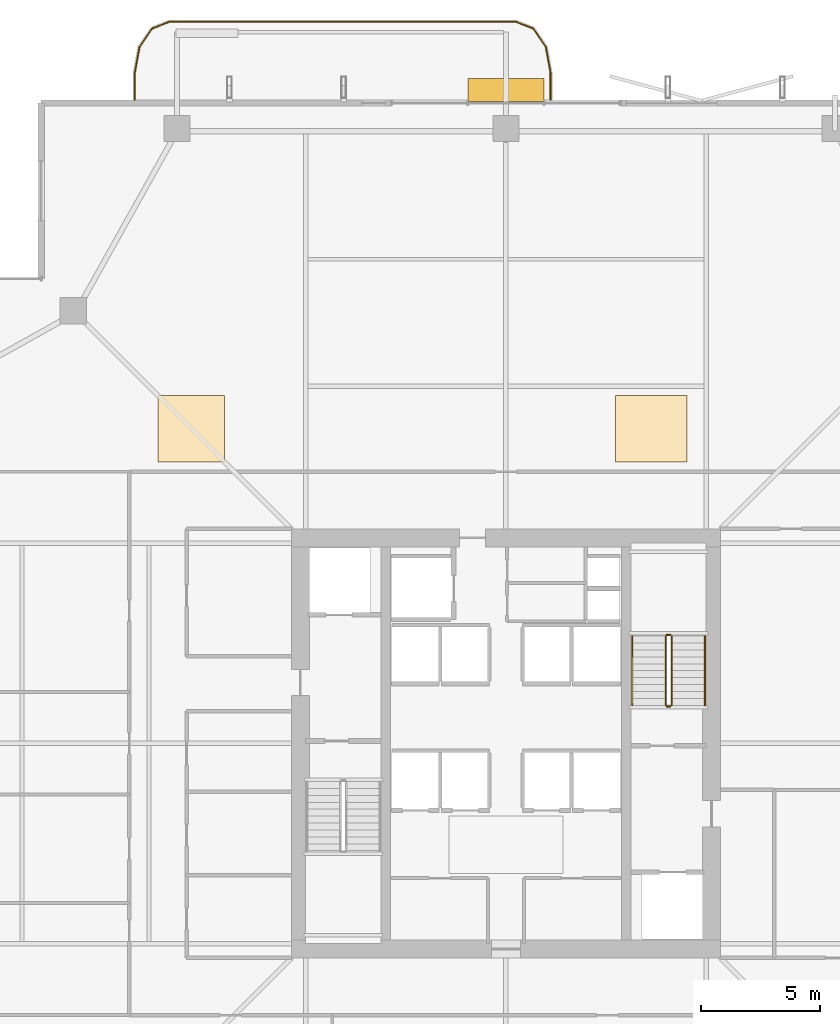
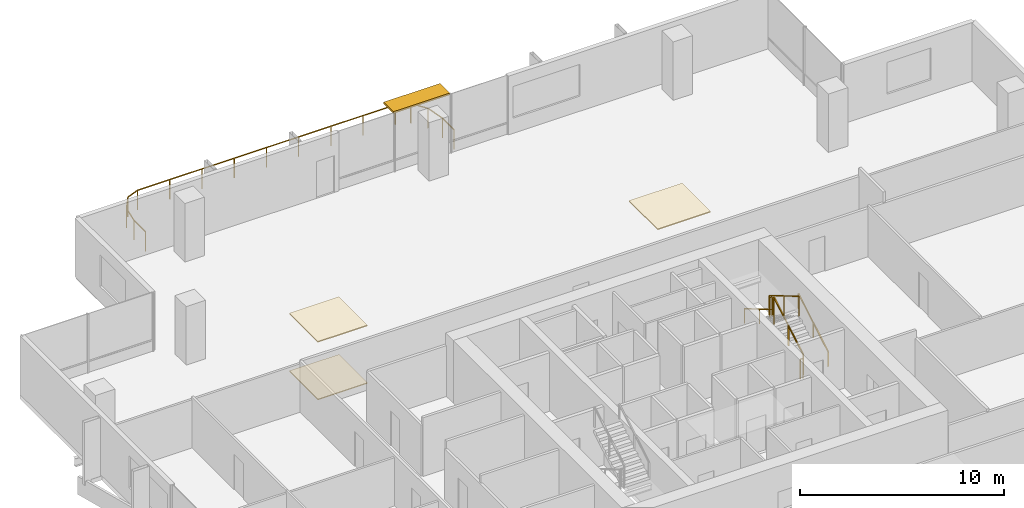
# One storey, part 28 of 29: 7 railings, 3 coverings, 1 shading device.
"""IFC4 building model written with IfcOpenShell, lengths in metres."""

import ifcopenshell
import ifcopenshell.guid

model = None  # the IFC model being written
_history = None  # IfcOwnerHistory: only IFC2X3 demands one
_inside = {}  # id of a spatial element -> (the spatial element, [elements in it])
_under = {}  # id of a project, library or spatial element -> (it, [spatial elements below it])
_declared = {}  # id of a project -> (the project, [libraries it declares])
_typed = {}  # id of a type object -> (the type object, [elements of that type])
_made_of = {}  # id of a material, layer set ... -> (it, [elements and type objects made of it])


def new_model(schema):
    """Start an empty IFC model of exactly this schema.

    Asked for "IFC4X3", IfcOpenShell would pick the latest addendum, in which some entities
    have other attributes; the version numbers below select the first issue.
    IFC2X3 requires an IfcOwnerHistory on every rooted entity: one is made here for all.
    """
    global model, _history
    if schema == "IFC4X3":
        model = ifcopenshell.file(schema_version=(4, 3, 0, 0))
    else:
        model = ifcopenshell.file(schema=schema)
    _inside.clear()
    _under.clear()
    _declared.clear()
    _typed.clear()
    _made_of.clear()
    _history = None
    if model.schema == "IFC2X3":
        org = make("IfcOrganization", Name="unknown")
        user = make(
            "IfcPersonAndOrganization",
            ThePerson=make("IfcPerson", FamilyName="unknown"),
            TheOrganization=org,
        )
        app = make(
            "IfcApplication",
            ApplicationDeveloper=org,
            Version="unknown",
            ApplicationFullName="unknown",
            ApplicationIdentifier="unknown",
        )
        _history = make(
            "IfcOwnerHistory",
            OwningUser=user,
            OwningApplication=app,
            ChangeAction="ADDED",
            CreationDate=0,
        )
    return model


def make(cls, **values):
    """One entity of the class cls with the attributes given. An attribute that is None is left unset."""
    return model.create_entity(
        cls, **{name: value for name, value in values.items() if value is not None}
    )


def rooted(cls, **values):
    """An entity with a GlobalId (a new one), such as an element, a storey or a relation."""
    return make(cls, GlobalId=ifcopenshell.guid.new(), OwnerHistory=_history, **values)


def si_unit(unit_type, name, prefix=None):
    """IfcSIUnit, for example si_unit("LENGTHUNIT", "METRE", prefix="MILLI")."""
    return make("IfcSIUnit", UnitType=unit_type, Prefix=prefix, Name=name)


def assignment(units):
    """IfcUnitAssignment: the units of a project."""
    return None if units is None else make("IfcUnitAssignment", Units=units)


def point(xyz):
    """IfcCartesianPoint."""
    return None if xyz is None else make("IfcCartesianPoint", Coordinates=xyz)


def direction(xyz):
    """IfcDirection."""
    return None if xyz is None else make("IfcDirection", DirectionRatios=xyz)


def frame(location, z_axis=None, x_axis=None):
    """IfcAxis2Placement3D, a coordinate frame: its origin and axes. An axis left out is left unset."""
    return make(
        "IfcAxis2Placement3D",
        Location=point(location),
        Axis=direction(z_axis),
        RefDirection=direction(x_axis),
    )


def frame_2d(location, x_axis=None):
    """IfcAxis2Placement2D, a coordinate frame in the plane: its origin and x axis."""
    return make(
        "IfcAxis2Placement2D", Location=point(location), RefDirection=direction(x_axis)
    )


def origin():
    """The frame at (0, 0, 0) with its axes left unset."""
    return frame((0.0, 0.0, 0.0))


def origin_2d():
    """The frame at (0, 0) in the plane with its x axis left unset."""
    return frame_2d((0.0, 0.0))


def place(relative_to, where):
    """IfcLocalPlacement: puts the frame where relative to a parent placement (None: the world)."""
    return make(
        "IfcLocalPlacement", PlacementRelTo=relative_to, RelativePlacement=where
    )


def context(
    kind, dimensions, precision=None, world=None, true_north=None, identifier=None
):
    """IfcGeometricRepresentationContext, for example the 3D "Model" context."""
    return make(
        "IfcGeometricRepresentationContext",
        ContextIdentifier=identifier,
        ContextType=kind,
        CoordinateSpaceDimension=dimensions,
        Precision=precision,
        WorldCoordinateSystem=world,
        TrueNorth=true_north,
    )


def subcontext(parent, identifier, kind, view, scale=None):
    """IfcGeometricRepresentationSubContext, for example "Body" below "Model"."""
    return make(
        "IfcGeometricRepresentationSubContext",
        ContextIdentifier=identifier,
        ContextType=kind,
        ParentContext=parent,
        TargetScale=scale,
        TargetView=view,
    )


def project(units=None, contexts=None):
    """IfcProject with its units and contexts."""
    return rooted(
        "IfcProject",
        Name="project",
        RepresentationContexts=contexts,
        UnitsInContext=assignment(units),
    )


def spatial(cls, under=None, at=None, **own):
    """A site, building, storey or space (cls), placed at a placement, below another one or the project."""
    s = rooted(cls, ObjectPlacement=at, **own)
    if under is not None:
        _under.setdefault(under.id(), (under, []))[1].append(s)
    return s


def polyline(points):
    """IfcPolyline through the points."""
    return make("IfcPolyline", Points=[point(p) for p in points])


def profile(cls, at=None, kind="AREA", **sizes):
    """A parametric profile (cls). Its sizes go by their IFC names, for example OverallWidth=200.0."""
    return make(cls, ProfileType=kind, Position=at, **sizes)


def rectangle(**sizes):
    """IfcRectangleProfileDef."""
    return profile("IfcRectangleProfileDef", **sizes)


def outline(outer, holes=None, kind="AREA"):
    """IfcArbitraryClosedProfileDef: a profile drawn as a closed curve; with holes, ...WithVoids."""
    if holes is None:
        return make("IfcArbitraryClosedProfileDef", ProfileType=kind, OuterCurve=outer)
    return make(
        "IfcArbitraryProfileDefWithVoids",
        ProfileType=kind,
        OuterCurve=outer,
        InnerCurves=holes,
    )


def extrude(swept, where, along, depth):
    """IfcExtrudedAreaSolid: the profile swept, set in the frame where, extruded along a direction by depth."""
    return make(
        "IfcExtrudedAreaSolid",
        SweptArea=swept,
        Position=where,
        ExtrudedDirection=direction(along),
        Depth=depth,
    )


def shape(context_of_items, identifier, shape_type, items):
    """IfcShapeRepresentation: the items that make up one representation, for example the "Body"."""
    return make(
        "IfcShapeRepresentation",
        ContextOfItems=context_of_items,
        RepresentationIdentifier=identifier,
        RepresentationType=shape_type,
        Items=items,
    )


def material(Name=None, Category=None):
    """IfcMaterial."""
    return make("IfcMaterial", Name=Name, Category=Category)


def layer(
    of_material, thickness, ventilated=None, Name=None, Category=None, Priority=None
):
    """IfcMaterialLayer: one layer of a wall or slab, of a material (None: an air gap)."""
    return make(
        "IfcMaterialLayer",
        Material=of_material,
        LayerThickness=thickness,
        IsVentilated=ventilated,
        Name=Name,
        Category=Category,
        Priority=Priority,
    )


def layer_set(layers, Name=None):
    """IfcMaterialLayerSet."""
    return make("IfcMaterialLayerSet", MaterialLayers=layers, LayerSetName=Name)


def made_of(thing, what):
    """Note that an element or type object is made of a material, layer set ...; save() writes the relation."""
    if what is not None:
        _made_of.setdefault(what.id(), (what, []))[1].append(thing)
    return thing


def type_object(cls, material=None, **own):
    """A type object (cls), such as IfcWallType, which elements share."""
    return made_of(rooted(cls, **own), material)


def element(
    cls,
    number,
    at=None,
    inside=None,
    cuts=None,
    type_object=None,
    material=None,
    context=None,
    identifier="Body",
    shape_type=None,
    held_by="IfcProductDefinitionShape",
    body=None,
    shapes=None,
    **own,
):
    """One element of the class cls, such as IfcWall. Its Tag is "e" and its number.

    at: its placement. inside: the storey or other place that contains it. cuts: it is an
    opening in that element (IfcRelVoidsElement). A single representation is given by context,
    identifier, shape_type and body (its items); several are given by shapes. held_by: the class
    of the entity that holds the representations. save() writes the other relations.
    """
    e = rooted(cls, Tag="e%d" % number, ObjectPlacement=at, **own)
    if body is not None:
        shapes = [shape(context, identifier, shape_type, body)]
    if shapes is not None:
        e.Representation = make(held_by, Representations=shapes)
    if inside is not None:
        _inside.setdefault(inside.id(), (inside, []))[1].append(e)
    if cuts is not None:
        rooted(
            "IfcRelVoidsElement", RelatingBuildingElement=cuts, RelatedOpeningElement=e
        )
    if type_object is not None:
        _typed.setdefault(type_object.id(), (type_object, []))[1].append(e)
    return made_of(e, material)


def aggregate(whole, parts):
    """IfcRelAggregates: a whole, such as a stair, and the parts it consists of."""
    return rooted("IfcRelAggregates", RelatingObject=whole, RelatedObjects=parts)


def save(model, path):
    """Write the relations noted so far, then the file.

    IfcRelAggregates (storeys below a building ...), IfcRelContainedInSpatialStructure (elements
    in a storey), IfcRelDefinesByType, IfcRelAssociatesMaterial and IfcRelDeclares: one each for
    every whole, place, type object, material and project.
    """
    for whole, parts in _under.values():
        aggregate(whole, parts)
    for where, things in _inside.values():
        rooted(
            "IfcRelContainedInSpatialStructure",
            RelatedElements=things,
            RelatingStructure=where,
        )
    for kind, things in _typed.values():
        rooted("IfcRelDefinesByType", RelatedObjects=things, RelatingType=kind)
    for what, things in _made_of.values():
        rooted("IfcRelAssociatesMaterial", RelatedObjects=things, RelatingMaterial=what)
    for by, libraries in _declared.values():
        rooted("IfcRelDeclares", RelatingContext=by, RelatedDefinitions=libraries)
    model.write(path)


model = new_model("IFC4")

# Units and contexts
model_context = context("Model", 3, precision=1e-05, world=origin(), true_north=direction((0.0, 1.0)))
body_context = subcontext(model_context, "Body", "Model", "MODEL_VIEW")
ifc_project = project(units=[si_unit("LENGTHUNIT", "METRE"), si_unit("AREAUNIT", "SQUARE_METRE"), si_unit("VOLUMEUNIT", "CUBIC_METRE"), si_unit("PLANEANGLEUNIT", "RADIAN"), si_unit("MASSUNIT", "GRAM", prefix="KILO")], contexts=[model_context])

# Site, building, storey
site_placement = place(None, origin())
site = spatial("IfcSite", under=ifc_project, at=site_placement, CompositionType="ELEMENT")
building_placement = place(site_placement, origin())
building = spatial("IfcBuilding", under=site, at=building_placement, Name="Belovzor Exchange Tower", CompositionType="ELEMENT")
storey_placement = place(building_placement, frame((0.0, 0.0, 199.949951171875)))
storey = spatial("IfcBuildingStorey", under=building, at=storey_placement, Name="L49", CompositionType="ELEMENT", Elevation=199.949951171875)

# Railings
ifc_material_1 = material(Name="Stainless Steel Grade 304", Category="steel")
railing_type_1 = type_object("IfcRailingType", Name="Brushed Stainless Steel Stair Handrail 900", PredefinedType="HANDRAIL", material=ifc_material_1)
railing_1_placement = place(storey_placement, frame((37.14990234375, 30.39990234375, 0.17041015625)))
element("IfcRailing", 1, at=railing_1_placement, inside=storey, type_object=railing_type_1, Name="L49 ST-2 stair handrail 1", PredefinedType="HANDRAIL", context=body_context, shape_type="SweptSolid", body=[
    extrude(rectangle(XDim=0.048095703125, YDim=0.048095703125, at=origin_2d()), frame((0.0, 0.0, 0.8759765625), z_axis=(0.0, 0.862113265706, 0.506715617574), x_axis=(-1.0, 0.0, 0.0)), (0.0, 0.0, 1.0), 3.364013671875),
    extrude(rectangle(XDim=0.0419921875, YDim=0.0419921875, at=origin_2d()), origin(), (0.0, 0.0, 1.0), 0.851806640625),
    extrude(rectangle(XDim=0.0419921875, YDim=0.0419921875, at=origin_2d()), frame((0.0, 1.4501953125, 0.852294921875)), (0.0, 0.0, 1.0), 0.851806640625),
    extrude(rectangle(XDim=0.0419921875, YDim=0.0419921875, at=origin_2d()), frame((0.0, 2.900146484375, 1.70458984375)), (0.0, 0.0, 1.0), 0.851806640625),
])
railing_2_placement = place(storey_placement, frame((34.10009765625, 33.300048828125, 2.04541015625)))
element("IfcRailing", 2, at=railing_2_placement, inside=storey, type_object=railing_type_1, Name="L49 ST-2 stair handrail 2", PredefinedType="HANDRAIL", context=body_context, shape_type="SweptSolid", body=[
    extrude(rectangle(XDim=0.048095703125, YDim=0.048095703125, at=origin_2d()), frame((0.0, 0.0, 0.8759765625), z_axis=(0.0, -0.862113265706, 0.506715617574), x_axis=(1.0, 0.0, 0.0)), (0.0, 0.0, 1.0), 3.364013671875),
    extrude(rectangle(XDim=0.0419921875, YDim=0.0419921875, at=origin_2d()), origin(), (0.0, 0.0, 1.0), 0.851806640625),
    extrude(rectangle(XDim=0.0419921875, YDim=0.0419921875, at=origin_2d()), frame((0.0, -1.4501953125, 0.852294921875)), (0.0, 0.0, 1.0), 0.851806640625),
    extrude(rectangle(XDim=0.0419921875, YDim=0.0419921875, at=origin_2d()), frame((0.0, -2.900146484375, 1.70458984375)), (0.0, 0.0, 1.0), 0.851806640625),
])
ifc_material_2 = material(Name="Stainless Steel and Laminated Safety Glass", Category="steel")
railing_type_2 = type_object("IfcRailingType", Name="Laminated Glass & Stainless Steel Balcony Balustrade 1200", PredefinedType="BALUSTRADE", material=ifc_material_2)
railing_3_placement = place(storey_placement, frame((30.669921875, 55.81005859375, 0.0)))
element("IfcRailing", 3, at=railing_3_placement, inside=storey, type_object=railing_type_2, Name="GR-1 Balcony Balustrade L49 North", PredefinedType="BALUSTRADE", context=body_context, shape_type="SweptSolid", body=[
    extrude(rectangle(XDim=0.048095703125, YDim=0.048095703125, at=origin_2d()), frame((0.0, 0.0, 1.17578125), z_axis=(0.0, 1.0, 0.0), x_axis=(-1.0, 0.0, 0.0)), (0.0, 0.0, 1.0), 1.133056640625),
    extrude(rectangle(XDim=0.048095703125, YDim=0.048095703125, at=origin_2d()), frame((0.0, 1.133056640625, 1.17578125), z_axis=(-0.180122719713, 0.983644145941, 0.0), x_axis=(-0.983644145941, -0.180122719713, 0.0)), (0.0, 0.0, 1.0), 1.09375),
    extrude(rectangle(XDim=0.048095703125, YDim=0.048095703125, at=origin_2d()), frame((-0.197021484375, 2.208984375, 1.17578125), z_axis=(-0.562768145367, 0.826614792125, 0.0), x_axis=(-0.826614792125, -0.562768145367, 0.0)), (0.0, 0.0, 1.0), 0.9326171875),
    extrude(rectangle(XDim=0.048095703125, YDim=0.048095703125, at=origin_2d()), frame((-0.721923828125, 2.97998046875, 1.17578125), z_axis=(-0.930766990125, 0.365612923861, 0.0), x_axis=(-0.365612923861, -0.930766990125, 0.0)), (0.0, 0.0, 1.0), 0.765869140625),
    extrude(rectangle(XDim=0.048095703125, YDim=0.048095703125, at=origin_2d()), frame((-1.434814453125, 3.260009765625, 1.17578125), z_axis=(-1.0, 0.0, 0.0), x_axis=(0.0, -1.0, 0.0)), (0.0, 0.0, 1.0), 14.570068359375),
    extrude(rectangle(XDim=0.048095703125, YDim=0.048095703125, at=origin_2d()), frame((-16.0048828125, 3.260009765625, 1.17578125), z_axis=(-0.930809580156, -0.365504480807, 0.0), x_axis=(0.365504480807, -0.930809580156, 0.0)), (0.0, 0.0, 1.0), 0.76611328125),
    extrude(rectangle(XDim=0.048095703125, YDim=0.048095703125, at=origin_2d()), frame((-16.718017578125, 2.97998046875, 1.17578125), z_axis=(-0.562768145367, -0.826614792125, 0.0), x_axis=(0.826614792125, -0.562768145367, 0.0)), (0.0, 0.0, 1.0), 0.9326171875),
    extrude(rectangle(XDim=0.048095703125, YDim=0.048095703125, at=origin_2d()), frame((-17.242919921875, 2.208984375, 1.17578125), z_axis=(-0.180122719713, -0.983644145941, 0.0), x_axis=(0.983644145941, -0.180122719713, 0.0)), (0.0, 0.0, 1.0), 1.09375),
    extrude(rectangle(XDim=0.048095703125, YDim=0.048095703125, at=origin_2d()), frame((-17.43994140625, 1.133056640625, 1.17578125), z_axis=(0.0, -1.0, 0.0), x_axis=(1.0, 0.0, 0.0)), (0.0, 0.0, 1.0), 1.133056640625),
    extrude(rectangle(XDim=0.0419921875, YDim=0.0419921875, at=origin_2d()), origin(), (0.0, 0.0, 1.0), 1.15185546875),
    extrude(rectangle(XDim=0.0419921875, YDim=0.0419921875, at=origin_2d()), frame((0.0, 1.133056640625, 0.0)), (0.0, 0.0, 1.0), 1.15185546875),
    extrude(rectangle(XDim=0.0419921875, YDim=0.0419921875, at=origin_2d()), frame((-0.197021484375, 2.208984375, 0.0)), (0.0, 0.0, 1.0), 1.15185546875),
    extrude(rectangle(XDim=0.0419921875, YDim=0.0419921875, at=origin_2d()), frame((-0.721923828125, 2.97998046875, 0.0)), (0.0, 0.0, 1.0), 1.15185546875),
    extrude(rectangle(XDim=0.0419921875, YDim=0.0419921875, at=origin_2d()), frame((-1.434814453125, 3.260009765625, 0.0)), (0.0, 0.0, 1.0), 1.15185546875),
    extrude(rectangle(XDim=0.0419921875, YDim=0.0419921875, at=origin_2d()), frame((-3.256103515625, 3.260009765625, 0.0)), (0.0, 0.0, 1.0), 1.15185546875),
    extrude(rectangle(XDim=0.0419921875, YDim=0.0419921875, at=origin_2d()), frame((-5.077392578125, 3.260009765625, 0.0)), (0.0, 0.0, 1.0), 1.15185546875),
    extrude(rectangle(XDim=0.0419921875, YDim=0.0419921875, at=origin_2d()), frame((-6.898681640625, 3.260009765625, 0.0)), (0.0, 0.0, 1.0), 1.15185546875),
    extrude(rectangle(XDim=0.0419921875, YDim=0.0419921875, at=origin_2d()), frame((-8.7197265625, 3.260009765625, 0.0)), (0.0, 0.0, 1.0), 1.15185546875),
    extrude(rectangle(XDim=0.0419921875, YDim=0.0419921875, at=origin_2d()), frame((-10.541015625, 3.260009765625, 0.0)), (0.0, 0.0, 1.0), 1.15185546875),
    extrude(rectangle(XDim=0.0419921875, YDim=0.0419921875, at=origin_2d()), frame((-12.3623046875, 3.260009765625, 0.0)), (0.0, 0.0, 1.0), 1.15185546875),
    extrude(rectangle(XDim=0.0419921875, YDim=0.0419921875, at=origin_2d()), frame((-14.18359375, 3.260009765625, 0.0)), (0.0, 0.0, 1.0), 1.15185546875),
    extrude(rectangle(XDim=0.0419921875, YDim=0.0419921875, at=origin_2d()), frame((-16.0048828125, 3.260009765625, 0.0)), (0.0, 0.0, 1.0), 1.15185546875),
    extrude(rectangle(XDim=0.0419921875, YDim=0.0419921875, at=origin_2d()), frame((-16.718017578125, 2.97998046875, 0.0)), (0.0, 0.0, 1.0), 1.15185546875),
    extrude(rectangle(XDim=0.0419921875, YDim=0.0419921875, at=origin_2d()), frame((-17.242919921875, 2.208984375, 0.0)), (0.0, 0.0, 1.0), 1.15185546875),
    extrude(rectangle(XDim=0.0419921875, YDim=0.0419921875, at=origin_2d()), frame((-17.43994140625, 1.133056640625, 0.0)), (0.0, 0.0, 1.0), 1.15185546875),
    extrude(rectangle(XDim=0.0419921875, YDim=0.0419921875, at=origin_2d()), frame((-17.43994140625, 0.0, 0.0)), (0.0, 0.0, 1.0), 1.15185546875),
])
ifc_material_3 = material(Name="Steel S355", Category="steel")
railing_type_3 = type_object("IfcRailingType", Name="Painted Steel Stairwell Guardrail 1200", PredefinedType="GUARDRAIL", material=ifc_material_3)
railing_4_placement = place(storey_placement, frame((35.75, 30.39990234375, 0.17041015625)))
element("IfcRailing", 4, at=railing_4_placement, inside=storey, type_object=railing_type_3, Name="L49 ST-2 stair guard 1", PredefinedType="GUARDRAIL", context=body_context, shape_type="SweptSolid", body=[
    extrude(rectangle(XDim=0.048095703125, YDim=0.048095703125, at=origin_2d()), frame((0.0, 0.0, 1.17578125), z_axis=(0.0, 0.862113265706, 0.506715617574), x_axis=(-1.0, 0.0, 0.0)), (0.0, 0.0, 1.0), 3.364013671875),
    extrude(rectangle(XDim=0.0419921875, YDim=0.0419921875, at=origin_2d()), origin(), (0.0, 0.0, 1.0), 1.15185546875),
    extrude(rectangle(XDim=0.0419921875, YDim=0.0419921875, at=origin_2d()), frame((0.0, 1.4501953125, 0.852294921875)), (0.0, 0.0, 1.0), 1.15185546875),
    extrude(rectangle(XDim=0.0419921875, YDim=0.0419921875, at=origin_2d()), frame((0.0, 2.900146484375, 1.70458984375)), (0.0, 0.0, 1.0), 1.15185546875),
])
railing_5_placement = place(storey_placement, frame((35.699951171875, 33.35009765625, 1.875)))
element("IfcRailing", 5, at=railing_5_placement, inside=storey, type_object=railing_type_3, Name="L49 ST-2 stair guard 2", PredefinedType="GUARDRAIL", context=body_context, shape_type="SweptSolid", body=[
    extrude(rectangle(XDim=0.048095703125, YDim=0.048095703125, at=origin_2d()), frame((0.0, 0.0, 1.17578125), z_axis=(-1.0, 0.0, 0.0), x_axis=(0.0, -1.0, 0.0)), (0.0, 0.0, 1.0), 0.14990234375),
    extrude(rectangle(XDim=0.0419921875, YDim=0.0419921875, at=origin_2d()), origin(), (0.0, 0.0, 1.0), 1.15185546875),
    extrude(rectangle(XDim=0.0419921875, YDim=0.0419921875, at=origin_2d()), frame((-0.14990234375, 0.0, 0.0)), (0.0, 0.0, 1.0), 1.15185546875),
])
railing_6_placement = place(storey_placement, frame((35.5, 33.300048828125, 2.04541015625)))
element("IfcRailing", 6, at=railing_6_placement, inside=storey, type_object=railing_type_3, Name="L49 ST-2 stair guard 3", PredefinedType="GUARDRAIL", context=body_context, shape_type="SweptSolid", body=[
    extrude(rectangle(XDim=0.048095703125, YDim=0.048095703125, at=origin_2d()), frame((0.0, 0.0, 1.17578125), z_axis=(0.0, -0.862113265706, 0.506715617574), x_axis=(1.0, 0.0, 0.0)), (0.0, 0.0, 1.0), 3.364013671875),
    extrude(rectangle(XDim=0.0419921875, YDim=0.0419921875, at=origin_2d()), origin(), (0.0, 0.0, 1.0), 1.15185546875),
    extrude(rectangle(XDim=0.0419921875, YDim=0.0419921875, at=origin_2d()), frame((0.0, -1.4501953125, 0.852294921875)), (0.0, 0.0, 1.0), 1.15185546875),
    extrude(rectangle(XDim=0.0419921875, YDim=0.0419921875, at=origin_2d()), frame((0.0, -2.900146484375, 1.70458984375)), (0.0, 0.0, 1.0), 1.15185546875),
])
railing_7_placement = place(storey_placement, frame((35.699951171875, 30.35009765625, 0.0)))
element("IfcRailing", 7, at=railing_7_placement, inside=storey, type_object=railing_type_3, Name="L49 ST-2 stair guard 4", PredefinedType="GUARDRAIL", context=body_context, shape_type="SweptSolid", body=[
    extrude(rectangle(XDim=0.048095703125, YDim=0.048095703125, at=origin_2d()), frame((0.0, 0.0, 1.17578125), z_axis=(-1.0, 0.0, 0.0), x_axis=(0.0, -1.0, 0.0)), (0.0, 0.0, 1.0), 0.14990234375),
    extrude(rectangle(XDim=0.0419921875, YDim=0.0419921875, at=origin_2d()), origin(), (0.0, 0.0, 1.0), 1.15185546875),
    extrude(rectangle(XDim=0.0419921875, YDim=0.0419921875, at=origin_2d()), frame((-0.14990234375, 0.0, 0.0)), (0.0, 0.0, 1.0), 1.15185546875),
])

# Coverings
ifc_material_4 = material(Name="Perforated Powder-Coated Aluminium", Category="aluminium")
ifc_layer_1 = layer(ifc_material_4, 0.06005859375)
ifc_layer_set_1 = layer_set([ifc_layer_1], Name="Perforated Powder-Coated Aluminium")
covering_type_1 = type_object("IfcCoveringType", Name="Perforated Acoustic Metal Tile Suspended Ceiling 60", PredefinedType="CEILING", material=ifc_layer_set_1)
covering_1_placement = place(storey_placement, frame((0.0, 0.0, 3.43994140625)))
element("IfcCovering", 8, at=covering_1_placement, inside=storey, type_object=covering_type_1, Name="CLG-AC60 Suspended Ceiling CLG-L49-Z2", PredefinedType="CEILING", context=body_context, shape_type="SweptSolid", body=[
    extrude(outline(polyline([(33.39990234375, 40.60009765625), (36.39990234375, 40.60009765625), (36.39990234375, 43.39990234375), (33.39990234375, 43.39990234375), (33.39990234375, 40.60009765625)])), origin(), (0.0, 0.0, 1.0), 0.06005859375),
])
covering_2_placement = place(storey_placement, frame((0.0, 0.0, 3.43994140625)))
element("IfcCovering", 9, at=covering_2_placement, inside=storey, type_object=covering_type_1, Name="CLG-AC60 Suspended Ceiling CLG-L49-Z3", PredefinedType="CEILING", context=body_context, shape_type="SweptSolid", body=[
    extrude(outline(polyline([(14.199951171875, 40.60009765625), (17.0, 40.60009765625), (17.0, 43.39990234375), (14.199951171875, 43.39990234375), (14.199951171875, 40.60009765625)])), origin(), (0.0, 0.0, 1.0), 0.06005859375),
])
ifc_material_5 = material(Name="Polished Natural Granite Tile", Category="masonry")
ifc_layer_2 = layer(ifc_material_5, 0.050048828125)
ifc_layer_set_2 = layer_set([ifc_layer_2], Name="Polished Natural Granite Tile")
covering_type_2 = type_object("IfcCoveringType", Name="Polished Karelian Granite & Raised Access Floor Finish 50", PredefinedType="FLOORING", material=ifc_layer_set_2)
covering_3_placement = place(storey_placement, origin())
element("IfcCovering", 10, at=covering_3_placement, inside=storey, type_object=covering_type_2, Name="FLR-GR50 Floor Finish FLR-L49-Z3", PredefinedType="FLOORING", context=body_context, shape_type="SweptSolid", body=[
    extrude(outline(polyline([(14.199951171875, 40.60009765625), (17.0, 40.60009765625), (17.0, 43.39990234375), (14.199951171875, 43.39990234375), (14.199951171875, 40.60009765625)])), origin(), (0.0, 0.0, 1.0), 0.050048828125),
])

# Shading device
ifc_material_6 = material(Name="Extruded Architectural Terracotta", Category="masonry")
ifc_layer_3 = layer(ifc_material_6, 0.1201171875)
ifc_layer_set_3 = layer_set([ifc_layer_3], Name="Extruded Architectural Terracotta")
shading_device_type = type_object("IfcShadingDeviceType", Name="Streamline Terracotta Horizontal Sunshade Hood 950", PredefinedType="AWNING", material=ifc_layer_set_3)
shading_device_placement = place(storey_placement, frame((28.800048828125, 56.215087890625, 3.3798828125), z_axis=(0.0, 0.0, 1.0), x_axis=(1.0, 0.0, 0.0)))
element("IfcShadingDevice", 11, at=shading_device_placement, inside=storey, type_object=shading_device_type, Name="SHD-TC095 Terracotta Sunshade L49 N", PredefinedType="AWNING", context=body_context, shape_type="SweptSolid", body=[
    extrude(rectangle(XDim=3.199951171875, YDim=0.949951171875, at=origin_2d()), origin(), (0.0, 0.0, 1.0), 0.1201171875),
])

save(model, "model.ifc")
